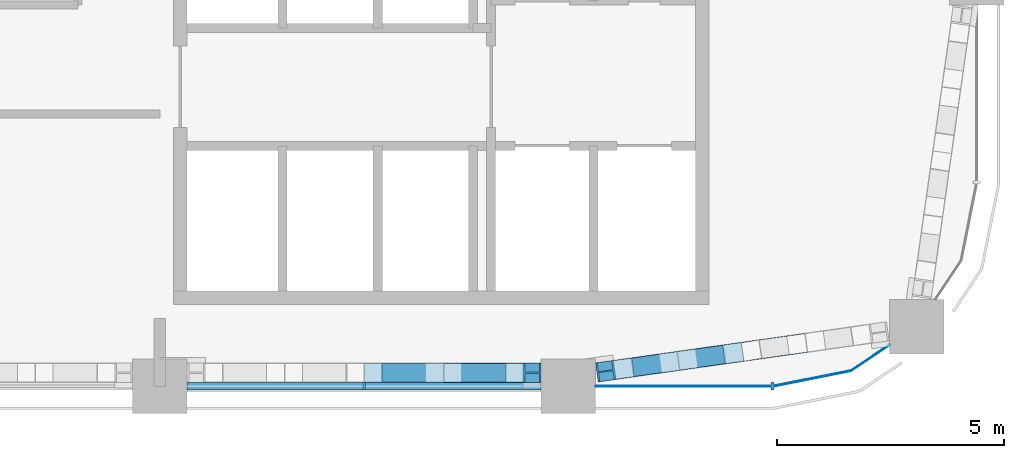
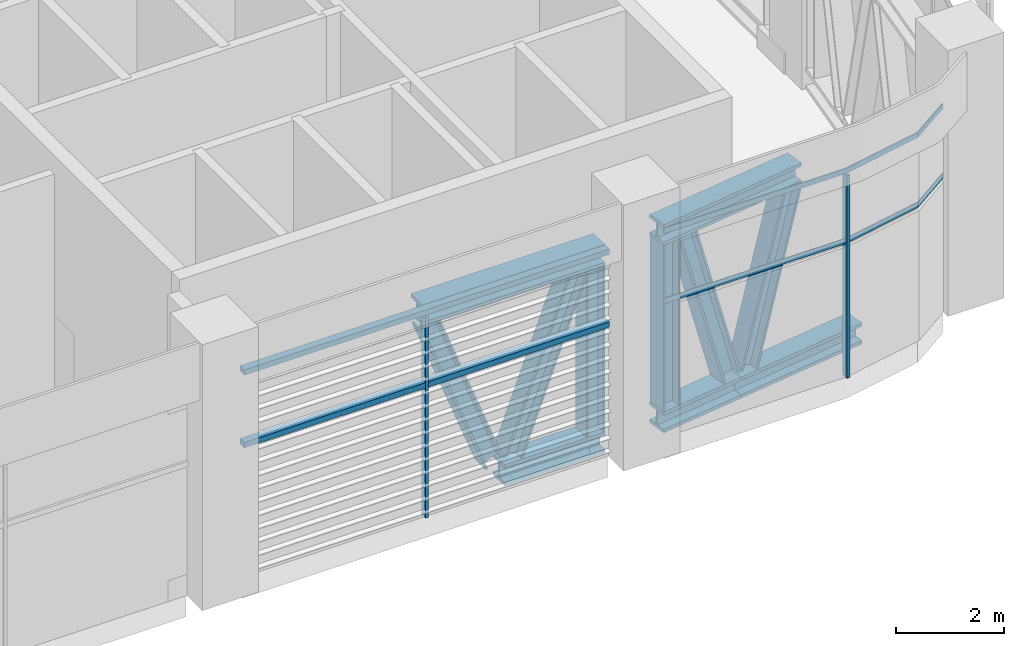
# One storey, part 3 of 14: 17 members, 2 elements without a shape of their own.
"""IFC4 building model written with IfcOpenShell, lengths in metres."""

from ifc_helpers import new_model, si_unit, direction, frame, origin, origin_2d, place, context, subcontext, project, spatial, polyline, rectangle, i_section, outline, extrude, material, material_profile, profile_set, type_object, element, aggregate, save


model = new_model("IFC4")

# Units and contexts
model_context = context("Model", 3, precision=1e-05, world=origin(), true_north=direction((0.0, 1.0)))
body_context = subcontext(model_context, "Body", "Model", "MODEL_VIEW")
ifc_project = project(units=[si_unit("LENGTHUNIT", "METRE"), si_unit("AREAUNIT", "SQUARE_METRE"), si_unit("VOLUMEUNIT", "CUBIC_METRE"), si_unit("PLANEANGLEUNIT", "RADIAN"), si_unit("MASSUNIT", "GRAM", prefix="KILO")], contexts=[model_context])

# Site, building, storey
site_placement = place(None, origin())
site = spatial("IfcSite", under=ifc_project, at=site_placement, CompositionType="ELEMENT")
building_placement = place(site_placement, origin())
building = spatial("IfcBuilding", under=site, at=building_placement, Name="Tessera Arch", CompositionType="ELEMENT")
storey_placement = place(building_placement, frame((0.0, 0.0, 295.199951171875)))
storey = spatial("IfcBuildingStorey", under=building, at=storey_placement, Name="L71", CompositionType="ELEMENT", Elevation=295.199951171875)

# Curtain wall, member
ifc_material_1 = material(Name="CW7 curtain wall")
curtain_wall_type = type_object("IfcCurtainWallType", Name="CW7 curtain wall", PredefinedType="NOTDEFINED", material=ifc_material_1)
curtain_wall_1_placement = place(storey_placement, origin())
curtain_wall_1 = element("IfcCurtainWall", 1, at=curtain_wall_1_placement, inside=storey, type_object=curtain_wall_type, Name="CW7 curtain wall S27.18/2 L71", PredefinedType="NOTDEFINED")
ifc_material_2 = material(Name="Anodised aluminium pale metal", Category="aluminium")
ifc_material_profile_1 = material_profile(ifc_material_2, rectangle(XDim=0.159912109375, YDim=0.06005859375, at=origin_2d()), Name="AL 60x160")
ifc_profile_set_1 = profile_set([ifc_material_profile_1], Name="Anodised aluminium pale metal")
member_type_1 = type_object("IfcMemberType", Name="CW7 mullion", PredefinedType="MULLION", material=ifc_profile_set_1)
member_1_placement = place(storey_placement, frame((40.5, 27.0, 0.0), z_axis=(0.0, 0.0, 1.0), x_axis=(0.0, 1.0, 0.0)))
member_1 = element("IfcMember", 2, at=member_1_placement, type_object=member_type_1, Name="CW7 mullion S27.18/2 1", PredefinedType="MULLION", context=body_context, shape_type="SweptSolid", body=[
    extrude(rectangle(XDim=0.159912109375, YDim=0.06005859375, at=origin_2d()), origin(), (0.0, 0.0, 1.0), 4.580078125),
])

curtain_wall_2_placement = place(storey_placement, origin())
curtain_wall_2 = element("IfcCurtainWall", 3, at=curtain_wall_2_placement, inside=storey, type_object=curtain_wall_type, Name="CW7 curtain wall S27.18/3 L71", PredefinedType="NOTDEFINED")
member_2_placement = place(storey_placement, frame((49.5, 27.0, 0.0), z_axis=(0.0, 0.0, 1.0), x_axis=(0.0, 1.0, 0.0)))
member_2 = element("IfcMember", 4, at=member_2_placement, type_object=member_type_1, Name="CW7 mullion S27.18/3 1", PredefinedType="MULLION", context=body_context, shape_type="SweptSolid", body=[
    extrude(rectangle(XDim=0.159912109375, YDim=0.06005859375, at=origin_2d()), origin(), (0.0, 0.0, 1.0), 4.580078125),
])

# Member
ifc_material_3 = material(Name="Anodised aluminium pale metal", Category="aluminium")
ifc_material_profile_2 = material_profile(ifc_material_3, rectangle(XDim=0.159912109375, YDim=0.1201171875, at=origin_2d()), Name="AL 160x120")
ifc_profile_set_2 = profile_set([ifc_material_profile_2], Name="Anodised aluminium pale metal")
member_type_2 = type_object("IfcMemberType", Name="CW7 transom", PredefinedType="USERDEFINED", material=ifc_profile_set_2)
member_3_placement = place(storey_placement, frame((36.60009765625, 27.0, 4.64013671875), z_axis=(1.0, 0.0, 0.0), x_axis=(0.0, 1.0, 0.0)))
member_3 = element("IfcMember", 5, at=member_3_placement, type_object=member_type_2, Name="CW7 transom S27.18/2 1.1", ObjectType="TRANSOM", PredefinedType="USERDEFINED", context=body_context, shape_type="SweptSolid", body=[
    extrude(rectangle(XDim=0.159912109375, YDim=0.1201171875, at=origin_2d()), origin(), (0.0, 0.0, 1.0), 7.7998046875),
])

member_4_placement = place(storey_placement, frame((36.60009765625, 27.0, 3.0), z_axis=(1.0, 0.0, 0.0), x_axis=(0.0, 1.0, 0.0)))
member_4 = element("IfcMember", 6, at=member_4_placement, type_object=member_type_2, Name="CW7 transom S27.18/2 2.1", ObjectType="TRANSOM", PredefinedType="USERDEFINED", context=body_context, shape_type="SweptSolid", body=[
    extrude(rectangle(XDim=0.159912109375, YDim=0.1201171875, at=origin_2d()), origin(), (0.0, 0.0, 1.0), 7.7998046875),
])

aggregate(curtain_wall_1, [member_1, member_3, member_4])

member_5_placement = place(storey_placement, frame((0.0, 0.0, 3.0)))
member_5 = element("IfcMember", 7, at=member_5_placement, type_object=member_type_2, Name="CW7 transom S27.18/3 1", ObjectType="TRANSOM", PredefinedType="USERDEFINED", context=body_context, shape_type="SweptSolid", body=[
    extrude(outline(polyline([(49.4990234375, 27.010009765625), (45.60009765625, 27.010009765625), (45.60009765625, 26.989990234375), (49.5009765625, 26.989990234375), (51.22607421875, 27.3330078125), (52.087646484375, 27.90869140625), (52.076416015625, 27.92529296875), (51.21826171875, 27.351806640625), (49.4990234375, 27.010009765625)])), origin(), (0.0, 0.0, 1.0), 0.1201171875),
])

member_6_placement = place(storey_placement, frame((0.0, 0.0, 4.580078125)))
member_6 = element("IfcMember", 8, at=member_6_placement, type_object=member_type_2, Name="CW7 transom S27.18/3 2", ObjectType="TRANSOM", PredefinedType="USERDEFINED", context=body_context, shape_type="SweptSolid", body=[
    extrude(outline(polyline([(49.4990234375, 27.010009765625), (45.60009765625, 27.010009765625), (45.60009765625, 26.989990234375), (49.5009765625, 26.989990234375), (51.22607421875, 27.3330078125), (52.087646484375, 27.90869140625), (52.076416015625, 27.92529296875), (51.21826171875, 27.351806640625), (49.4990234375, 27.010009765625)])), origin(), (0.0, 0.0, 1.0), 0.119873046875),
])

aggregate(curtain_wall_2, [member_2, member_5, member_6])

# Members
ifc_material_4 = material(Name="Steel A992 Gr50", Category="steel")
ifc_material_profile_3 = material_profile(ifc_material_4, i_section(OverallWidth=0.424072265625, OverallDepth=0.47412109375, WebThickness=0.047607421875, FlangeThickness=0.0771484375, at=origin_2d()), Name="W14x426")
ifc_profile_set_3 = profile_set([ifc_material_profile_3], Name="Steel A992 Gr50")
member_type_3 = type_object("IfcMemberType", Name="Truss chord W14x426", PredefinedType="CHORD", material=ifc_profile_set_3)
member_7_placement = place(storey_placement, frame((40.5, 27.300048828125, 4.462890625), z_axis=(1.0, 0.0, 0.0), x_axis=(0.0, 1.0, 0.0)))
element("IfcMember", 9, at=member_7_placement, inside=storey, type_object=member_type_3, Name="Belt truss top chord 2", PredefinedType="CHORD", context=body_context, shape_type="SweptSolid", body=[
    extrude(i_section(OverallWidth=0.424072265625, OverallDepth=0.47412109375, WebThickness=0.047607421875, FlangeThickness=0.0771484375, at=origin_2d()), origin(), (0.0, 0.0, 1.0), 3.89990234375),
])
member_8_placement = place(storey_placement, frame((42.253173828125, 27.300048828125, 0.237060546875), z_axis=(1.0, 0.0, 0.0), x_axis=(0.0, 1.0, 0.0)))
element("IfcMember", 10, at=member_8_placement, inside=storey, type_object=member_type_3, Name="Belt truss bottom chord 3", PredefinedType="CHORD", context=body_context, shape_type="SweptSolid", body=[
    extrude(i_section(OverallWidth=0.424072265625, OverallDepth=0.47412109375, WebThickness=0.047607421875, FlangeThickness=0.0771484375, at=origin_2d()), origin(), (0.0, 0.0, 1.0), 2.146728515625),
])
member_9_placement = place(storey_placement, frame((45.629638671875, 27.30712890625, 4.462890625), z_axis=(0.990132683827, 0.140133038281, 0.0), x_axis=(-0.140133038281, 0.990132683827, 0.0)))
element("IfcMember", 11, at=member_9_placement, inside=storey, type_object=member_type_3, Name="Belt truss top chord 1", PredefinedType="CHORD", context=body_context, shape_type="SweptSolid", body=[
    extrude(i_section(OverallWidth=0.424072265625, OverallDepth=0.47412109375, WebThickness=0.047607421875, FlangeThickness=0.0771484375, at=origin_2d()), origin(), (0.0, 0.0, 1.0), 3.237060546875),
])
member_10_placement = place(storey_placement, frame((45.629638671875, 27.30712890625, 0.237060546875), z_axis=(0.99013421589, 0.140122212815, 0.0), x_axis=(-0.140122212815, 0.99013421589, 0.0)))
element("IfcMember", 12, at=member_10_placement, inside=storey, type_object=member_type_3, Name="Belt truss bottom chord 1", PredefinedType="CHORD", context=body_context, shape_type="SweptSolid", body=[
    extrude(i_section(OverallWidth=0.424072265625, OverallDepth=0.47412109375, WebThickness=0.047607421875, FlangeThickness=0.0771484375, at=origin_2d()), origin(), (0.0, 0.0, 1.0), 1.8154296875),
])
member_11_placement = place(storey_placement, frame((47.42724609375, 27.5615234375, 0.237060546875), z_axis=(0.990144324177, 0.140050766866, 0.0), x_axis=(-0.140050766866, 0.990144324177, 0.0)))
element("IfcMember", 13, at=member_11_placement, inside=storey, type_object=member_type_3, Name="Belt truss bottom chord 2", PredefinedType="CHORD", context=body_context, shape_type="SweptSolid", body=[
    extrude(i_section(OverallWidth=0.424072265625, OverallDepth=0.47412109375, WebThickness=0.047607421875, FlangeThickness=0.0771484375, at=origin_2d()), origin(), (0.0, 0.0, 1.0), 2.84326171875),
])
ifc_material_5 = material(Name="Steel A992 Gr50", Category="steel")
ifc_material_profile_4 = material_profile(ifc_material_5, i_section(OverallWidth=0.406494140625, OverallDepth=0.41650390625, WebThickness=0.030029296875, FlangeThickness=0.048095703125, at=origin_2d()), Name="W14x257")
ifc_profile_set_4 = profile_set([ifc_material_profile_4], Name="Steel A992 Gr50")
member_type_4 = type_object("IfcMemberType", Name="Truss diagonal W14x257", PredefinedType="BRACE", material=ifc_profile_set_4)
for number, where, z_axis, x_axis, name in (
    (14, (40.701171875, 27.300048828125, 4.13525390625), (0.353848249837, 0.0, -0.935302847257), (0.0, 1.0, 0.0), "Belt truss diagonal 3"),
    (15, (42.454345703125, 27.300048828125, 0.564697265625), (0.353848249837, 0.0, 0.935302847257), (0.0, 1.0, 0.0), "Belt truss diagonal 4"),
):
    element("IfcMember", number, at=place(storey_placement, frame(where, z_axis=z_axis, x_axis=x_axis)), inside=storey, type_object=member_type_4, Name=name, PredefinedType="BRACE", context=body_context, shape_type="SweptSolid", body=[
        extrude(i_section(OverallWidth=0.406494140625, OverallDepth=0.41650390625, WebThickness=0.030029296875, FlangeThickness=0.048095703125, at=origin_2d()), origin(), (0.0, 0.0, 1.0), 3.817626953125),
    ])
for number, where, z_axis, x_axis, name in (
    (16, (46.222900390625, 27.39111328125, 4.15234375), (0.267324503165, 0.037825862853, -0.96286386063), (-0.14010233632, 0.990137028576, 0.0), "Belt truss diagonal 1"),
    (17, (47.630615234375, 27.59033203125, 0.5478515625), (0.267324503165, 0.037825862853, 0.96286386063), (-0.14010233632, 0.990137028576, 0.0), "Belt truss diagonal 2"),
):
    element("IfcMember", number, at=place(storey_placement, frame(where, z_axis=z_axis, x_axis=x_axis)), inside=storey, type_object=member_type_4, Name=name, PredefinedType="BRACE", context=body_context, shape_type="SweptSolid", body=[
        extrude(i_section(OverallWidth=0.406494140625, OverallDepth=0.41650390625, WebThickness=0.030029296875, FlangeThickness=0.048095703125, at=origin_2d()), origin(), (0.0, 0.0, 1.0), 3.743408203125),
    ])
ifc_material_6 = material(Name="Steel A992 Gr50", Category="steel")
ifc_material_profile_5 = material_profile(ifc_material_6, i_section(OverallWidth=0.398681640625, OverallDepth=0.393798828125, WebThickness=0.022705078125, FlangeThickness=0.03662109375, at=origin_2d()), Name="W14x193")
ifc_profile_set_5 = profile_set([ifc_material_profile_5], Name="Steel A992 Gr50")
member_type_5 = type_object("IfcMemberType", Name="Truss post W14x193", PredefinedType="POST", material=ifc_profile_set_5)
for number, where, z_axis, x_axis, name in (
    (18, (44.203125, 27.300048828125, 0.474365234375), (0.0, 0.0, 1.0), (0.0, 1.0, 0.0), "Belt truss end post 2"),
    (19, (45.824462890625, 27.334716796875, 0.474365234375), (0.0, 0.0, 1.0), (-0.140088924592, 0.990138926215, 0.0), "Belt truss end post 1"),
):
    element("IfcMember", number, at=place(storey_placement, frame(where, z_axis=z_axis, x_axis=x_axis)), inside=storey, type_object=member_type_5, Name=name, PredefinedType="POST", context=body_context, shape_type="SweptSolid", body=[
        extrude(i_section(OverallWidth=0.398681640625, OverallDepth=0.393798828125, WebThickness=0.022705078125, FlangeThickness=0.03662109375, at=origin_2d()), origin(), (0.0, 0.0, 1.0), 3.75146484375),
    ])

save(model, "model.ifc")
